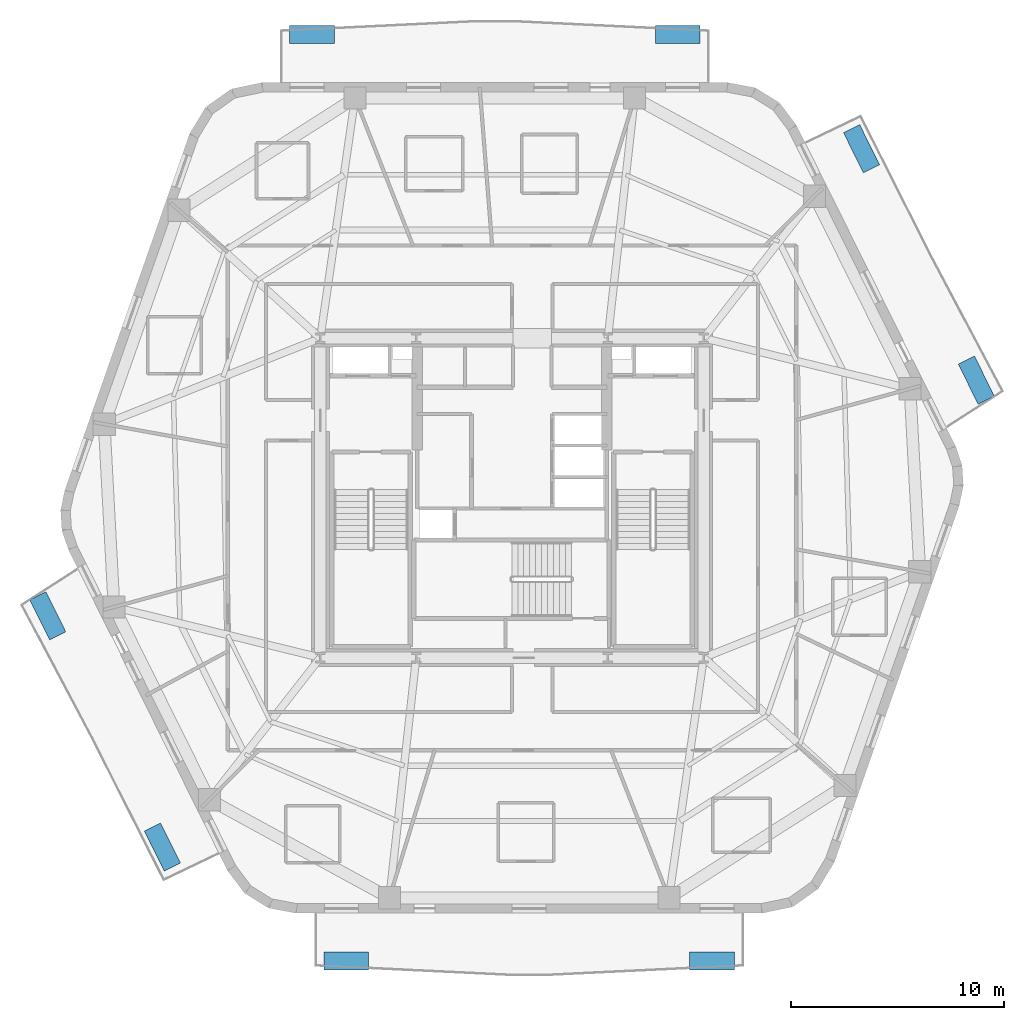
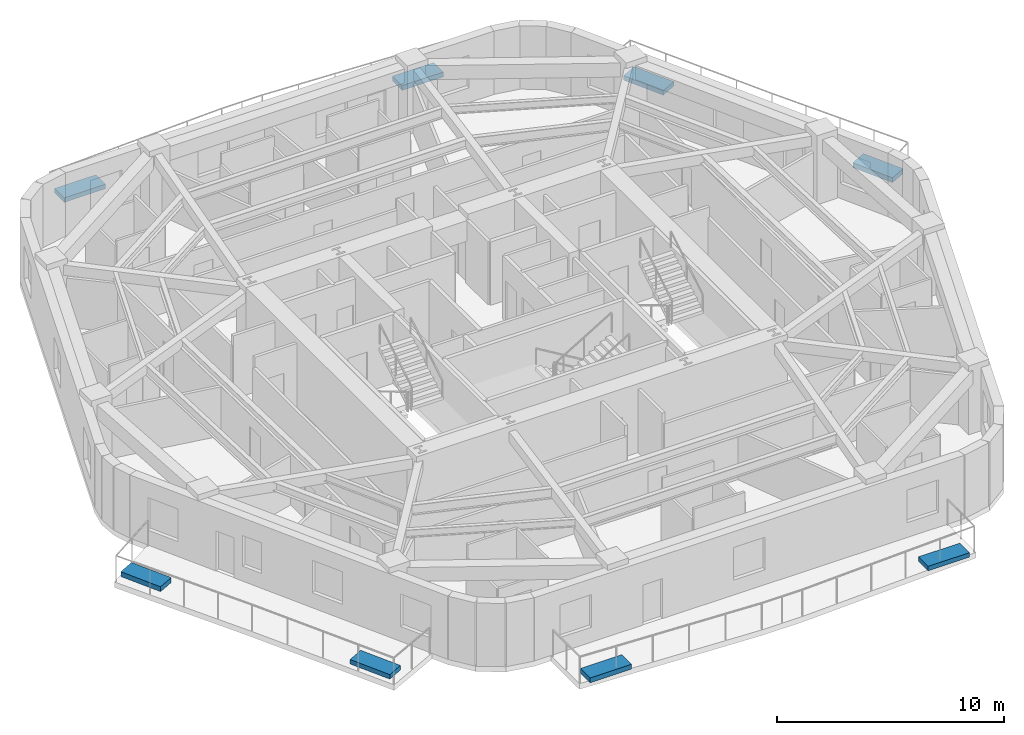
# One storey, part 7 of 10: 8 discrete accessories.
"""IFC4 building model written with IfcOpenShell, lengths in metres."""

from ifc_helpers import new_model, si_unit, direction, frame, origin, origin_2d, place, context, subcontext, project, spatial, rectangle, extrude, material, type_object, element, save


model = new_model("IFC4")

# Units and contexts
model_context = context("Model", 3, precision=1e-05, world=origin(), true_north=direction((0.0, 1.0)))
body_context = subcontext(model_context, "Body", "Model", "MODEL_VIEW")
ifc_project = project(units=[si_unit("LENGTHUNIT", "METRE"), si_unit("AREAUNIT", "SQUARE_METRE"), si_unit("VOLUMEUNIT", "CUBIC_METRE"), si_unit("PLANEANGLEUNIT", "RADIAN"), si_unit("MASSUNIT", "GRAM", prefix="KILO")], contexts=[model_context])

# Site, building, storey
site_placement = place(None, origin())
site = spatial("IfcSite", under=ifc_project, at=site_placement, CompositionType="ELEMENT")
building_placement = place(site_placement, origin())
building = spatial("IfcBuilding", under=site, at=building_placement, Name="Kilnhurst Terrace Hotel", CompositionType="ELEMENT")
storey_placement = place(building_placement, frame((0.0, 0.0, 151.699951171875)))
storey = spatial("IfcBuildingStorey", under=building, at=storey_placement, Name="L37", CompositionType="ELEMENT", Elevation=151.699951171875)

# Discrete accessories
ifc_material_1 = material(Name="Precast Concrete C40/50 Shrub Planter", Category="concrete")
discrete_accessory_type_1 = type_object("IfcDiscreteAccessoryType", Name="PLN-SHRUB-240", PredefinedType="USERDEFINED", material=ifc_material_1)
for number, where, z_axis, x_axis, name in (
    (1, (16.414306640625, 16.393310546875, 0.0), (0.0, 0.0, 1.0), (-0.444244308887, 0.895905683664, 0.0), "L37 Structural Tree Planter Box PLANTER BAL-L1A.2"),
    (2, (-9.3935546875, 21.75, 0.0), (0.0, 0.0, 1.0), (-1.0, 0.0, 0.0), "L37 Structural Tree Planter Box PLANTER BAL-L1B.2"),
    (3, (-16.414306640625, -16.393310546875, 0.0), (0.0, 0.0, 1.0), (0.444244308887, -0.895905683664, 0.0), "L37 Structural Tree Planter Box PLANTER BAL-L2A.2"),
    (4, (9.3935546875, -21.75, 0.0), (0.0, 0.0, 1.0), (1.0, 0.0, 0.0), "L37 Structural Tree Planter Box PLANTER BAL-L2B.2"),
):
    element("IfcDiscreteAccessory", number, at=place(storey_placement, frame(where, z_axis=z_axis, x_axis=x_axis)), inside=storey, type_object=discrete_accessory_type_1, Name=name, ObjectType="PLANTER", PredefinedType="USERDEFINED", context=body_context, shape_type="SweptSolid", body=[
        extrude(rectangle(XDim=2.10009765625, YDim=0.85009765625, at=origin_2d()), origin(), (0.0, 0.0, 1.0), 0.239990234375),
    ])
ifc_material_2 = material(Name="Precast Concrete C40/50 Tree Planter", Category="concrete")
discrete_accessory_type_2 = type_object("IfcDiscreteAccessoryType", Name="PLN-TREE-260", PredefinedType="USERDEFINED", material=ifc_material_2)
for number, where, z_axis, x_axis, name in (
    (5, (21.79833984375, 5.535400390625, 0.0), (0.0, 0.0, 1.0), (-0.444244308887, 0.895905683664, 0.0), "L37 Structural Tree Planter Box PLANTER BAL-L1A.1"),
    (6, (7.779296875, 21.75, 0.0), (0.0, 0.0, 1.0), (-1.0, 0.0, 0.0), "L37 Structural Tree Planter Box PLANTER BAL-L1B.1"),
    (7, (-21.79833984375, -5.535400390625, 0.0), (0.0, 0.0, 1.0), (0.444244308887, -0.895905683664, 0.0), "L37 Structural Tree Planter Box PLANTER BAL-L2A.1"),
    (8, (-7.779296875, -21.75, 0.0), (0.0, 0.0, 1.0), (1.0, 0.0, 0.0), "L37 Structural Tree Planter Box PLANTER BAL-L2B.1"),
):
    element("IfcDiscreteAccessory", number, at=place(storey_placement, frame(where, z_axis=z_axis, x_axis=x_axis)), inside=storey, type_object=discrete_accessory_type_2, Name=name, ObjectType="PLANTER", PredefinedType="USERDEFINED", context=body_context, shape_type="SweptSolid", body=[
        extrude(rectangle(XDim=2.10009765625, YDim=0.85009765625, at=origin_2d()), origin(), (0.0, 0.0, 1.0), 0.260009765625),
    ])

save(model, "model.ifc")
